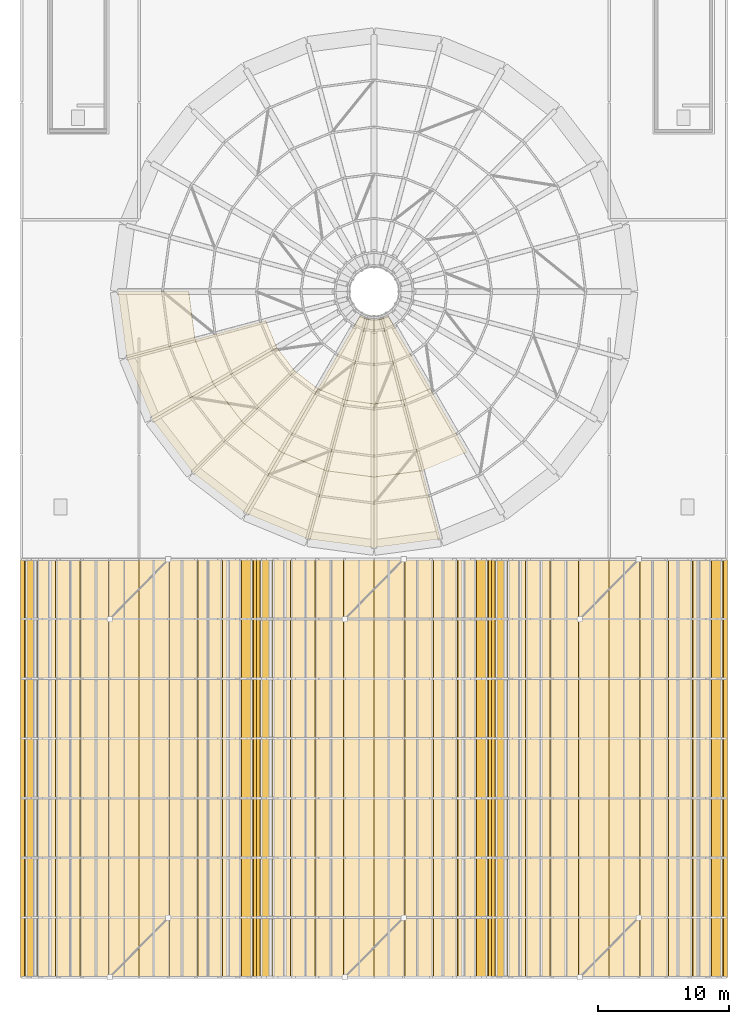
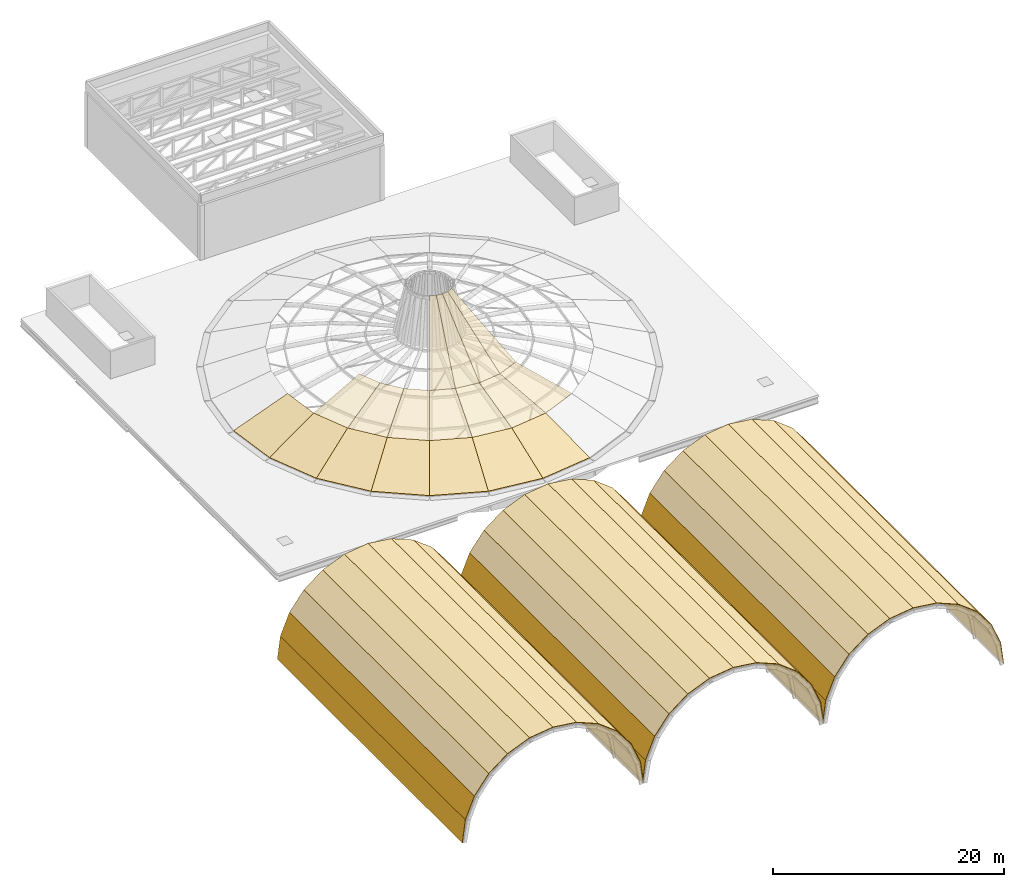
# One storey, part 23 of 25: 54 coverings, 4 elements without a shape of their own.
"""IFC4 building model written with IfcOpenShell, lengths in metres."""

from ifc_helpers import new_model, si_unit, direction, frame, origin, place, context, subcontext, project, spatial, polyline, outline, extrude, material, layer, layer_set, type_object, element, aggregate, save


model = new_model("IFC4")

# Units and contexts
model_context = context("Model", 3, precision=1e-05, world=origin(), true_north=direction((0.0, 1.0)))
body_context = subcontext(model_context, "Body", "Model", "MODEL_VIEW")
ifc_project = project(units=[si_unit("LENGTHUNIT", "METRE"), si_unit("AREAUNIT", "SQUARE_METRE"), si_unit("VOLUMEUNIT", "CUBIC_METRE"), si_unit("PLANEANGLEUNIT", "RADIAN"), si_unit("MASSUNIT", "GRAM", prefix="KILO")], contexts=[model_context])

# Site, building, storey
site_placement = place(None, origin())
site = spatial("IfcSite", under=ifc_project, at=site_placement, CompositionType="ELEMENT")
building_placement = place(site_placement, origin())
building = spatial("IfcBuilding", under=site, at=building_placement, Name="Marnock Terrace Opera House", CompositionType="ELEMENT")
storey_placement = place(building_placement, frame((0.0, 0.0, 28.199951171875)))
storey = spatial("IfcBuildingStorey", under=building, at=storey_placement, Name="RF", CompositionType="ELEMENT", Elevation=28.199951171875)

# Roof, coverings
roof_1_placement = place(storey_placement, origin())
roof_1 = element("IfcRoof", 1, at=roof_1_placement, inside=storey, Name="Grand Hall standing-seam green metal barrel vault 1", PredefinedType="BARREL_ROOF")
ifc_material = material(Name="Patinated green copper-zinc standing-seam roofing")
ifc_layer_1 = layer(ifc_material, 0.06494140625)
ifc_layer_set_1 = layer_set([ifc_layer_1], Name="Patinated green copper-zinc standing-seam roofing")
covering_type_1 = type_object("IfcCoveringType", Name="COV-BARREL-GREEN", PredefinedType="ROOFING", material=ifc_layer_set_1)
covering_1_placement = place(storey_placement, frame((54.93505859375, 8.0, -9.0), z_axis=(-0.991447271077, 0.0, 0.1305078874), x_axis=(0.1305078874, 0.0, 0.991447271077)))
covering_1 = element("IfcCovering", 2, at=covering_1_placement, type_object=covering_type_1, Name="Grand Hall patinated green standing-seam metal arch strip 1.1", PredefinedType="ROOFING", context=body_context, shape_type="SweptSolid", body=[
    extrude(outline(polyline([(0.0, 0.0), (2.366430847805837, 0.0), (2.366430847805837, 32.0), (0.0, 32.0), (0.0, 0.0)])), origin(), (0.0, 0.0, -1.0), 0.06494140625),
])
covering_2_placement = place(storey_placement, frame((55.243896484375, 8.0, -6.65380859375), z_axis=(-0.923889834918, 0.0, 0.382658559208), x_axis=(0.382658559208, 0.0, 0.923889834918)))
covering_2 = element("IfcCovering", 3, at=covering_2_placement, type_object=covering_type_1, Name="Grand Hall patinated green standing-seam metal arch strip 1.2", PredefinedType="ROOFING", context=body_context, shape_type="SweptSolid", body=[
    extrude(outline(polyline([(0.0, 0.0), (2.366385270457372, 0.0), (2.366385270457372, 31.999999999999996), (0.0, 31.999999999999996), (0.0, 0.0)])), origin(), (0.0, 0.0, -1.0), 0.06494140625),
])
covering_3_placement = place(storey_placement, frame((56.1494140625, 8.0, -4.467529296875), z_axis=(-0.793340611707, 0.0, 0.608778016864), x_axis=(0.608778016864, 0.0, 0.793340611707)))
covering_3 = element("IfcCovering", 4, at=covering_3_placement, type_object=covering_type_1, Name="Grand Hall patinated green standing-seam metal arch strip 1.3", PredefinedType="ROOFING", context=body_context, shape_type="SweptSolid", body=[
    extrude(outline(polyline([(0.0, 0.0), (2.3665010697116364, 0.0), (2.3665010697116364, 32.0), (0.0, 32.0), (0.0, 0.0)])), origin(), (0.0, 0.0, -1.0), 0.06494140625),
])
covering_4_placement = place(storey_placement, frame((57.590087890625, 8.0, -2.590087890625), z_axis=(-0.608778016864, 0.0, 0.793340611707), x_axis=(0.793340611707, 0.0, 0.608778016864)))
covering_4 = element("IfcCovering", 5, at=covering_4_placement, type_object=covering_type_1, Name="Grand Hall patinated green standing-seam metal arch strip 1.4", PredefinedType="ROOFING", context=body_context, shape_type="SweptSolid", body=[
    extrude(outline(polyline([(0.0, 0.0), (2.3665010697116364, 0.0), (2.3665010697116364, 32.0), (0.0, 32.0), (0.0, 0.0)])), origin(), (0.0, 0.0, -1.0), 0.06494140625),
])
covering_5_placement = place(storey_placement, frame((59.467529296875, 8.0, -1.1494140625), z_axis=(-0.382658559208, 0.0, 0.923889834918), x_axis=(0.923889834918, 0.0, 0.382658559208)))
covering_5 = element("IfcCovering", 6, at=covering_5_placement, type_object=covering_type_1, Name="Grand Hall patinated green standing-seam metal arch strip 1.5", PredefinedType="ROOFING", context=body_context, shape_type="SweptSolid", body=[
    extrude(outline(polyline([(0.0, 0.0), (2.366385270457372, 0.0), (2.366385270457372, 31.999999999999996), (0.0, 31.999999999999996), (0.0, 0.0)])), origin(), (0.0, 0.0, -1.0), 0.06494140625),
])
covering_6_placement = place(storey_placement, frame((61.65380859375, 8.0, -0.243896484375), z_axis=(-0.1305078874, 0.0, 0.991447271077), x_axis=(0.991447271077, 0.0, 0.1305078874)))
covering_6 = element("IfcCovering", 7, at=covering_6_placement, type_object=covering_type_1, Name="Grand Hall patinated green standing-seam metal arch strip 1.6", PredefinedType="ROOFING", context=body_context, shape_type="SweptSolid", body=[
    extrude(outline(polyline([(0.0, 0.0), (2.366430847805837, 0.0), (2.366430847805837, 32.0), (0.0, 32.0), (0.0, 0.0)])), origin(), (0.0, 0.0, -1.0), 0.06494140625),
])
covering_7_placement = place(storey_placement, frame((64.0, 8.0, 0.06494140625), z_axis=(0.1305078874, 0.0, 0.991447271077), x_axis=(0.991447271077, 0.0, -0.1305078874)))
covering_7 = element("IfcCovering", 8, at=covering_7_placement, type_object=covering_type_1, Name="Grand Hall patinated green standing-seam metal arch strip 1.7", PredefinedType="ROOFING", context=body_context, shape_type="SweptSolid", body=[
    extrude(outline(polyline([(0.0, 0.0), (2.366430847805837, 0.0), (2.366430847805837, 32.0), (0.0, 32.0), (0.0, 0.0)])), origin(), (0.0, 0.0, -1.0), 0.06494140625),
])
covering_8_placement = place(storey_placement, frame((66.34619140625, 8.0, -0.243896484375), z_axis=(0.382658559208, 0.0, 0.923889834918), x_axis=(0.923889834918, 0.0, -0.382658559208)))
covering_8 = element("IfcCovering", 9, at=covering_8_placement, type_object=covering_type_1, Name="Grand Hall patinated green standing-seam metal arch strip 1.8", PredefinedType="ROOFING", context=body_context, shape_type="SweptSolid", body=[
    extrude(outline(polyline([(0.0, 0.0), (2.366385270457372, 0.0), (2.366385270457372, 31.999999999999996), (0.0, 31.999999999999996), (0.0, 0.0)])), origin(), (0.0, 0.0, -1.0), 0.06494140625),
])
covering_9_placement = place(storey_placement, frame((68.532470703125, 8.0, -1.1494140625), z_axis=(0.608778016864, 0.0, 0.793340611707), x_axis=(0.793340611707, 0.0, -0.608778016864)))
covering_9 = element("IfcCovering", 10, at=covering_9_placement, type_object=covering_type_1, Name="Grand Hall patinated green standing-seam metal arch strip 1.9", PredefinedType="ROOFING", context=body_context, shape_type="SweptSolid", body=[
    extrude(outline(polyline([(0.0, 0.0), (2.3665010697116364, 0.0), (2.3665010697116364, 32.0), (0.0, 32.0), (0.0, 0.0)])), origin(), (0.0, 0.0, -1.0), 0.06494140625),
])
covering_10_placement = place(storey_placement, frame((70.409912109375, 8.0, -2.590087890625), z_axis=(0.793340611707, 0.0, 0.608778016864), x_axis=(0.608778016864, 0.0, -0.793340611707)))
covering_10 = element("IfcCovering", 11, at=covering_10_placement, type_object=covering_type_1, Name="Grand Hall patinated green standing-seam metal arch strip 1.10", PredefinedType="ROOFING", context=body_context, shape_type="SweptSolid", body=[
    extrude(outline(polyline([(0.0, 0.0), (2.3665010697116364, 0.0), (2.3665010697116364, 32.0), (0.0, 32.0), (0.0, 0.0)])), origin(), (0.0, 0.0, -1.0), 0.06494140625),
])
covering_11_placement = place(storey_placement, frame((71.8505859375, 8.0, -4.467529296875), z_axis=(0.923889834918, 0.0, 0.382658559208), x_axis=(0.382658559208, 0.0, -0.923889834918)))
covering_11 = element("IfcCovering", 12, at=covering_11_placement, type_object=covering_type_1, Name="Grand Hall patinated green standing-seam metal arch strip 1.11", PredefinedType="ROOFING", context=body_context, shape_type="SweptSolid", body=[
    extrude(outline(polyline([(0.0, 0.0), (2.366385270457372, 0.0), (2.366385270457372, 31.999999999999996), (0.0, 31.999999999999996), (0.0, 0.0)])), origin(), (0.0, 0.0, -1.0), 0.06494140625),
])
covering_12_placement = place(storey_placement, frame((72.756103515625, 8.0, -6.65380859375), z_axis=(0.991447271077, 0.0, 0.1305078874), x_axis=(0.1305078874, 0.0, -0.991447271077)))
covering_12 = element("IfcCovering", 13, at=covering_12_placement, type_object=covering_type_1, Name="Grand Hall patinated green standing-seam metal arch strip 1.12", PredefinedType="ROOFING", context=body_context, shape_type="SweptSolid", body=[
    extrude(outline(polyline([(0.0, 0.0), (2.366430847805837, 0.0), (2.366430847805837, 32.0), (0.0, 32.0), (0.0, 0.0)])), origin(), (0.0, 0.0, -1.0), 0.06494140625),
])
aggregate(roof_1, [covering_1, covering_2, covering_3, covering_4, covering_5, covering_6, covering_7, covering_8, covering_9, covering_10, covering_11, covering_12])

roof_2_placement = place(storey_placement, origin())
roof_2 = element("IfcRoof", 14, at=roof_2_placement, inside=storey, Name="Grand Hall standing-seam green metal barrel vault 2", PredefinedType="BARREL_ROOF")
covering_13_placement = place(storey_placement, frame((72.93505859375, 8.0, -9.0), z_axis=(-0.991447271077, 0.0, 0.1305078874), x_axis=(0.1305078874, 0.0, 0.991447271077)))
covering_13 = element("IfcCovering", 15, at=covering_13_placement, type_object=covering_type_1, Name="Grand Hall patinated green standing-seam metal arch strip 2.1", PredefinedType="ROOFING", context=body_context, shape_type="SweptSolid", body=[
    extrude(outline(polyline([(0.0, 0.0), (2.366430847805837, 0.0), (2.366430847805837, 32.0), (0.0, 32.0), (0.0, 0.0)])), origin(), (0.0, 0.0, -1.0), 0.06494140625),
])
covering_14_placement = place(storey_placement, frame((73.243896484375, 8.0, -6.65380859375), z_axis=(-0.923889834918, 0.0, 0.382658559208), x_axis=(0.382658559208, 0.0, 0.923889834918)))
covering_14 = element("IfcCovering", 16, at=covering_14_placement, type_object=covering_type_1, Name="Grand Hall patinated green standing-seam metal arch strip 2.2", PredefinedType="ROOFING", context=body_context, shape_type="SweptSolid", body=[
    extrude(outline(polyline([(0.0, 0.0), (2.366385270457372, 0.0), (2.366385270457372, 31.999999999999996), (0.0, 31.999999999999996), (0.0, 0.0)])), origin(), (0.0, 0.0, -1.0), 0.06494140625),
])
covering_15_placement = place(storey_placement, frame((74.1494140625, 8.0, -4.467529296875), z_axis=(-0.793340611707, 0.0, 0.608778016864), x_axis=(0.608778016864, 0.0, 0.793340611707)))
covering_15 = element("IfcCovering", 17, at=covering_15_placement, type_object=covering_type_1, Name="Grand Hall patinated green standing-seam metal arch strip 2.3", PredefinedType="ROOFING", context=body_context, shape_type="SweptSolid", body=[
    extrude(outline(polyline([(0.0, 0.0), (2.3665010697116364, 0.0), (2.3665010697116364, 32.0), (0.0, 32.0), (0.0, 0.0)])), origin(), (0.0, 0.0, -1.0), 0.06494140625),
])
covering_16_placement = place(storey_placement, frame((75.590087890625, 8.0, -2.590087890625), z_axis=(-0.608778016864, 0.0, 0.793340611707), x_axis=(0.793340611707, 0.0, 0.608778016864)))
covering_16 = element("IfcCovering", 18, at=covering_16_placement, type_object=covering_type_1, Name="Grand Hall patinated green standing-seam metal arch strip 2.4", PredefinedType="ROOFING", context=body_context, shape_type="SweptSolid", body=[
    extrude(outline(polyline([(0.0, 0.0), (2.3665010697116364, 0.0), (2.3665010697116364, 32.0), (0.0, 32.0), (0.0, 0.0)])), origin(), (0.0, 0.0, -1.0), 0.06494140625),
])
covering_17_placement = place(storey_placement, frame((77.467529296875, 8.0, -1.1494140625), z_axis=(-0.382658559208, 0.0, 0.923889834918), x_axis=(0.923889834918, 0.0, 0.382658559208)))
covering_17 = element("IfcCovering", 19, at=covering_17_placement, type_object=covering_type_1, Name="Grand Hall patinated green standing-seam metal arch strip 2.5", PredefinedType="ROOFING", context=body_context, shape_type="SweptSolid", body=[
    extrude(outline(polyline([(0.0, 0.0), (2.366385270457372, 0.0), (2.366385270457372, 31.999999999999996), (0.0, 31.999999999999996), (0.0, 0.0)])), origin(), (0.0, 0.0, -1.0), 0.06494140625),
])
covering_18_placement = place(storey_placement, frame((79.65380859375, 8.0, -0.243896484375), z_axis=(-0.1305078874, 0.0, 0.991447271077), x_axis=(0.991447271077, 0.0, 0.1305078874)))
covering_18 = element("IfcCovering", 20, at=covering_18_placement, type_object=covering_type_1, Name="Grand Hall patinated green standing-seam metal arch strip 2.6", PredefinedType="ROOFING", context=body_context, shape_type="SweptSolid", body=[
    extrude(outline(polyline([(0.0, 0.0), (2.366430847805837, 0.0), (2.366430847805837, 32.0), (0.0, 32.0), (0.0, 0.0)])), origin(), (0.0, 0.0, -1.0), 0.06494140625),
])
covering_19_placement = place(storey_placement, frame((82.0, 8.0, 0.06494140625), z_axis=(0.1305078874, 0.0, 0.991447271077), x_axis=(0.991447271077, 0.0, -0.1305078874)))
covering_19 = element("IfcCovering", 21, at=covering_19_placement, type_object=covering_type_1, Name="Grand Hall patinated green standing-seam metal arch strip 2.7", PredefinedType="ROOFING", context=body_context, shape_type="SweptSolid", body=[
    extrude(outline(polyline([(0.0, 0.0), (2.366430847805837, 0.0), (2.366430847805837, 32.0), (0.0, 32.0), (0.0, 0.0)])), origin(), (0.0, 0.0, -1.0), 0.06494140625),
])
covering_20_placement = place(storey_placement, frame((84.34619140625, 8.0, -0.243896484375), z_axis=(0.382658559208, 0.0, 0.923889834918), x_axis=(0.923889834918, 0.0, -0.382658559208)))
covering_20 = element("IfcCovering", 22, at=covering_20_placement, type_object=covering_type_1, Name="Grand Hall patinated green standing-seam metal arch strip 2.8", PredefinedType="ROOFING", context=body_context, shape_type="SweptSolid", body=[
    extrude(outline(polyline([(0.0, 0.0), (2.366385270457372, 0.0), (2.366385270457372, 31.999999999999996), (0.0, 31.999999999999996), (0.0, 0.0)])), origin(), (0.0, 0.0, -1.0), 0.06494140625),
])
covering_21_placement = place(storey_placement, frame((86.532470703125, 8.0, -1.1494140625), z_axis=(0.608778016864, 0.0, 0.793340611707), x_axis=(0.793340611707, 0.0, -0.608778016864)))
covering_21 = element("IfcCovering", 23, at=covering_21_placement, type_object=covering_type_1, Name="Grand Hall patinated green standing-seam metal arch strip 2.9", PredefinedType="ROOFING", context=body_context, shape_type="SweptSolid", body=[
    extrude(outline(polyline([(0.0, 0.0), (2.3665010697116364, 0.0), (2.3665010697116364, 32.0), (0.0, 32.0), (0.0, 0.0)])), origin(), (0.0, 0.0, -1.0), 0.06494140625),
])
covering_22_placement = place(storey_placement, frame((88.409912109375, 8.0, -2.590087890625), z_axis=(0.793340611707, 0.0, 0.608778016864), x_axis=(0.608778016864, 0.0, -0.793340611707)))
covering_22 = element("IfcCovering", 24, at=covering_22_placement, type_object=covering_type_1, Name="Grand Hall patinated green standing-seam metal arch strip 2.10", PredefinedType="ROOFING", context=body_context, shape_type="SweptSolid", body=[
    extrude(outline(polyline([(0.0, 0.0), (2.3665010697116364, 0.0), (2.3665010697116364, 32.0), (0.0, 32.0), (0.0, 0.0)])), origin(), (0.0, 0.0, -1.0), 0.06494140625),
])
covering_23_placement = place(storey_placement, frame((89.8505859375, 8.0, -4.467529296875), z_axis=(0.923889834918, 0.0, 0.382658559208), x_axis=(0.382658559208, 0.0, -0.923889834918)))
covering_23 = element("IfcCovering", 25, at=covering_23_placement, type_object=covering_type_1, Name="Grand Hall patinated green standing-seam metal arch strip 2.11", PredefinedType="ROOFING", context=body_context, shape_type="SweptSolid", body=[
    extrude(outline(polyline([(0.0, 0.0), (2.366385270457372, 0.0), (2.366385270457372, 31.999999999999996), (0.0, 31.999999999999996), (0.0, 0.0)])), origin(), (0.0, 0.0, -1.0), 0.06494140625),
])
covering_24_placement = place(storey_placement, frame((90.756103515625, 8.0, -6.65380859375), z_axis=(0.991447271077, 0.0, 0.1305078874), x_axis=(0.1305078874, 0.0, -0.991447271077)))
covering_24 = element("IfcCovering", 26, at=covering_24_placement, type_object=covering_type_1, Name="Grand Hall patinated green standing-seam metal arch strip 2.12", PredefinedType="ROOFING", context=body_context, shape_type="SweptSolid", body=[
    extrude(outline(polyline([(0.0, 0.0), (2.366430847805837, 0.0), (2.366430847805837, 32.0), (0.0, 32.0), (0.0, 0.0)])), origin(), (0.0, 0.0, -1.0), 0.06494140625),
])
aggregate(roof_2, [covering_13, covering_14, covering_15, covering_16, covering_17, covering_18, covering_19, covering_20, covering_21, covering_22, covering_23, covering_24])

roof_3_placement = place(storey_placement, origin())
roof_3 = element("IfcRoof", 27, at=roof_3_placement, inside=storey, Name="Grand Hall standing-seam green metal barrel vault 3", PredefinedType="BARREL_ROOF")
covering_25_placement = place(storey_placement, frame((90.93505859375, 8.0, -9.0), z_axis=(-0.991447271077, 0.0, 0.1305078874), x_axis=(0.1305078874, 0.0, 0.991447271077)))
covering_25 = element("IfcCovering", 28, at=covering_25_placement, type_object=covering_type_1, Name="Grand Hall patinated green standing-seam metal arch strip 3.1", PredefinedType="ROOFING", context=body_context, shape_type="SweptSolid", body=[
    extrude(outline(polyline([(0.0, 0.0), (2.366430847805837, 0.0), (2.366430847805837, 32.0), (0.0, 32.0), (0.0, 0.0)])), origin(), (0.0, 0.0, -1.0), 0.06494140625),
])
covering_26_placement = place(storey_placement, frame((91.243896484375, 8.0, -6.65380859375), z_axis=(-0.923889834918, 0.0, 0.382658559208), x_axis=(0.382658559208, 0.0, 0.923889834918)))
covering_26 = element("IfcCovering", 29, at=covering_26_placement, type_object=covering_type_1, Name="Grand Hall patinated green standing-seam metal arch strip 3.2", PredefinedType="ROOFING", context=body_context, shape_type="SweptSolid", body=[
    extrude(outline(polyline([(0.0, 0.0), (2.366385270457372, 0.0), (2.366385270457372, 31.999999999999996), (0.0, 31.999999999999996), (0.0, 0.0)])), origin(), (0.0, 0.0, -1.0), 0.06494140625),
])
covering_27_placement = place(storey_placement, frame((92.1494140625, 8.0, -4.467529296875), z_axis=(-0.793340611707, 0.0, 0.608778016864), x_axis=(0.608778016864, 0.0, 0.793340611707)))
covering_27 = element("IfcCovering", 30, at=covering_27_placement, type_object=covering_type_1, Name="Grand Hall patinated green standing-seam metal arch strip 3.3", PredefinedType="ROOFING", context=body_context, shape_type="SweptSolid", body=[
    extrude(outline(polyline([(0.0, 0.0), (2.3665010697116364, 0.0), (2.3665010697116364, 32.0), (0.0, 32.0), (0.0, 0.0)])), origin(), (0.0, 0.0, -1.0), 0.06494140625),
])
covering_28_placement = place(storey_placement, frame((93.590087890625, 8.0, -2.590087890625), z_axis=(-0.608778016864, 0.0, 0.793340611707), x_axis=(0.793340611707, 0.0, 0.608778016864)))
covering_28 = element("IfcCovering", 31, at=covering_28_placement, type_object=covering_type_1, Name="Grand Hall patinated green standing-seam metal arch strip 3.4", PredefinedType="ROOFING", context=body_context, shape_type="SweptSolid", body=[
    extrude(outline(polyline([(0.0, 0.0), (2.3665010697116364, 0.0), (2.3665010697116364, 32.0), (0.0, 32.0), (0.0, 0.0)])), origin(), (0.0, 0.0, -1.0), 0.06494140625),
])
covering_29_placement = place(storey_placement, frame((95.467529296875, 8.0, -1.1494140625), z_axis=(-0.382658559208, 0.0, 0.923889834918), x_axis=(0.923889834918, 0.0, 0.382658559208)))
covering_29 = element("IfcCovering", 32, at=covering_29_placement, type_object=covering_type_1, Name="Grand Hall patinated green standing-seam metal arch strip 3.5", PredefinedType="ROOFING", context=body_context, shape_type="SweptSolid", body=[
    extrude(outline(polyline([(0.0, 0.0), (2.366385270457372, 0.0), (2.366385270457372, 31.999999999999996), (0.0, 31.999999999999996), (0.0, 0.0)])), origin(), (0.0, 0.0, -1.0), 0.06494140625),
])
covering_30_placement = place(storey_placement, frame((97.65380859375, 8.0, -0.243896484375), z_axis=(-0.1305078874, 0.0, 0.991447271077), x_axis=(0.991447271077, 0.0, 0.1305078874)))
covering_30 = element("IfcCovering", 33, at=covering_30_placement, type_object=covering_type_1, Name="Grand Hall patinated green standing-seam metal arch strip 3.6", PredefinedType="ROOFING", context=body_context, shape_type="SweptSolid", body=[
    extrude(outline(polyline([(0.0, 0.0), (2.366430847805837, 0.0), (2.366430847805837, 32.0), (0.0, 32.0), (0.0, 0.0)])), origin(), (0.0, 0.0, -1.0), 0.06494140625),
])
covering_31_placement = place(storey_placement, frame((100.0, 8.0, 0.06494140625), z_axis=(0.1305078874, 0.0, 0.991447271077), x_axis=(0.991447271077, 0.0, -0.1305078874)))
covering_31 = element("IfcCovering", 34, at=covering_31_placement, type_object=covering_type_1, Name="Grand Hall patinated green standing-seam metal arch strip 3.7", PredefinedType="ROOFING", context=body_context, shape_type="SweptSolid", body=[
    extrude(outline(polyline([(0.0, 0.0), (2.366430847805837, 0.0), (2.366430847805837, 32.0), (0.0, 32.0), (0.0, 0.0)])), origin(), (0.0, 0.0, -1.0), 0.06494140625),
])
covering_32_placement = place(storey_placement, frame((102.34619140625, 8.0, -0.243896484375), z_axis=(0.382658559208, 0.0, 0.923889834918), x_axis=(0.923889834918, 0.0, -0.382658559208)))
covering_32 = element("IfcCovering", 35, at=covering_32_placement, type_object=covering_type_1, Name="Grand Hall patinated green standing-seam metal arch strip 3.8", PredefinedType="ROOFING", context=body_context, shape_type="SweptSolid", body=[
    extrude(outline(polyline([(0.0, 0.0), (2.366385270457372, 0.0), (2.366385270457372, 31.999999999999996), (0.0, 31.999999999999996), (0.0, 0.0)])), origin(), (0.0, 0.0, -1.0), 0.06494140625),
])
covering_33_placement = place(storey_placement, frame((104.532470703125, 8.0, -1.1494140625), z_axis=(0.608778016864, 0.0, 0.793340611707), x_axis=(0.793340611707, 0.0, -0.608778016864)))
covering_33 = element("IfcCovering", 36, at=covering_33_placement, type_object=covering_type_1, Name="Grand Hall patinated green standing-seam metal arch strip 3.9", PredefinedType="ROOFING", context=body_context, shape_type="SweptSolid", body=[
    extrude(outline(polyline([(0.0, 0.0), (2.3665010697116364, 0.0), (2.3665010697116364, 32.0), (0.0, 32.0), (0.0, 0.0)])), origin(), (0.0, 0.0, -1.0), 0.06494140625),
])
covering_34_placement = place(storey_placement, frame((106.409912109375, 8.0, -2.590087890625), z_axis=(0.793340611707, 0.0, 0.608778016864), x_axis=(0.608778016864, 0.0, -0.793340611707)))
covering_34 = element("IfcCovering", 37, at=covering_34_placement, type_object=covering_type_1, Name="Grand Hall patinated green standing-seam metal arch strip 3.10", PredefinedType="ROOFING", context=body_context, shape_type="SweptSolid", body=[
    extrude(outline(polyline([(0.0, 0.0), (2.3665010697116364, 0.0), (2.3665010697116364, 32.0), (0.0, 32.0), (0.0, 0.0)])), origin(), (0.0, 0.0, -1.0), 0.06494140625),
])
covering_35_placement = place(storey_placement, frame((107.8505859375, 8.0, -4.467529296875), z_axis=(0.923889834918, 0.0, 0.382658559208), x_axis=(0.382658559208, 0.0, -0.923889834918)))
covering_35 = element("IfcCovering", 38, at=covering_35_placement, type_object=covering_type_1, Name="Grand Hall patinated green standing-seam metal arch strip 3.11", PredefinedType="ROOFING", context=body_context, shape_type="SweptSolid", body=[
    extrude(outline(polyline([(0.0, 0.0), (2.366385270457372, 0.0), (2.366385270457372, 31.999999999999996), (0.0, 31.999999999999996), (0.0, 0.0)])), origin(), (0.0, 0.0, -1.0), 0.06494140625),
])
covering_36_placement = place(storey_placement, frame((108.756103515625, 8.0, -6.65380859375), z_axis=(0.991447271077, 0.0, 0.1305078874), x_axis=(0.1305078874, 0.0, -0.991447271077)))
covering_36 = element("IfcCovering", 39, at=covering_36_placement, type_object=covering_type_1, Name="Grand Hall patinated green standing-seam metal arch strip 3.12", PredefinedType="ROOFING", context=body_context, shape_type="SweptSolid", body=[
    extrude(outline(polyline([(0.0, 0.0), (2.366430847805837, 0.0), (2.366430847805837, 32.0), (0.0, 32.0), (0.0, 0.0)])), origin(), (0.0, 0.0, -1.0), 0.06494140625),
])
aggregate(roof_3, [covering_25, covering_26, covering_27, covering_28, covering_29, covering_30, covering_31, covering_32, covering_33, covering_34, covering_35, covering_36])

roof_4_placement = place(storey_placement, origin())
roof_4 = element("IfcRoof", 40, at=roof_4_placement, inside=storey, Name="Main Auditorium steel-ribbed spherical dome", PredefinedType="DOME_ROOF")
ifc_layer_2 = layer(ifc_material, 0.074951171875)
ifc_layer_set_2 = layer_set([ifc_layer_2], Name="Patinated green copper-zinc standing-seam roofing")
covering_type_2 = type_object("IfcCoveringType", Name="COV-DOME-GREEN", PredefinedType="ROOFING", material=ifc_layer_set_2)
covering_37_placement = place(storey_placement, frame((62.39990234375, 60.5, 0.10009765625), z_axis=(-0.352317131294, -0.046389602184, 0.934730251894), x_axis=(0.130549838233, -0.991441748027, 2.520747e-06)))
covering_37 = element("IfcCovering", 41, at=covering_37_placement, type_object=covering_type_2, Name="Dome green standing-seam gore 13.1", PredefinedType="ROOFING", context=body_context, shape_type="SweptSolid", body=[
    extrude(outline(polyline([(0.0, 0.0), (5.116543212380876, -1.1102230246251565e-16), (4.412003599005117, 5.727713691704827), (0.7049933807000869, 5.727776281930253), (0.0, 0.0)])), origin(), (0.0, 0.0, -1.0), 0.074951171875),
])
covering_38_placement = place(storey_placement, frame((63.06787109375, 55.42724609375, 0.10009765625), z_axis=(-0.32831772337, -0.135983771502, 0.934727707094), x_axis=(0.3826655891, -0.923886923229, 2.425053e-06)))
covering_38 = element("IfcCovering", 42, at=covering_38_placement, type_object=covering_type_2, Name="Dome green standing-seam gore 14.1", PredefinedType="ROOFING", context=body_context, shape_type="SweptSolid", body=[
    extrude(outline(polyline([(0.0, 0.0), (5.116748173598148, 2.220446049250313e-16), (4.411844387682832, 5.727606992132528), (0.70491742681314, 5.727667205970325), (0.0, 0.0)])), origin(), (0.0, 0.0, -1.0), 0.074951171875),
])
covering_39_placement = place(storey_placement, frame((68.283935546875, 56.82470703125, 2.135498046875), z_axis=(-0.221610143309, -0.091786584396, 0.970805936997), x_axis=(0.382650783688, -0.923893055359, -1.743796e-06)))
covering_39 = element("IfcCovering", 43, at=covering_39_placement, type_object=covering_type_2, Name="Dome green standing-seam gore 14.2", PredefinedType="ROOFING", context=body_context, shape_type="SweptSolid", body=[
    extrude(outline(polyline([(0.0, 0.0), (3.7069269613765257, -2.220446049250313e-16), (2.9757791507463995, 5.719150504026977), (0.7306757556963367, 5.719107233545815), (0.0, 0.0)])), origin(), (0.0, 0.0, -1.0), 0.074951171875),
])
covering_40_placement = place(storey_placement, frame((65.02587890625, 50.699951171875, 0.10009765625), z_axis=(-0.281933207248, -0.216329386275, 0.934727373775), x_axis=(0.60875110808, -0.793361259712, -2.16203e-07)))
covering_40 = element("IfcCovering", 44, at=covering_40_placement, type_object=covering_type_2, Name="Dome green standing-seam gore 15.1", PredefinedType="ROOFING", context=body_context, shape_type="SweptSolid", body=[
    extrude(outline(polyline([(0.0, 0.0), (5.116617261257561, 0.0), (4.41170891799427, 5.727625652140126), (0.7047957767661198, 5.72762028393561), (0.0, 0.0)])), origin(), (0.0, 0.0, -1.0), 0.074951171875),
])
covering_41_placement = place(storey_placement, frame((69.702392578125, 53.39990234375, 2.135498046875), z_axis=(-0.1902948667, -0.146019653415, 0.970806945033), x_axis=(0.608752990058, -0.793359815646, -3.663156e-06)))
covering_41 = element("IfcCovering", 45, at=covering_41_placement, type_object=covering_type_2, Name="Dome green standing-seam gore 15.2", PredefinedType="ROOFING", context=body_context, shape_type="SweptSolid", body=[
    extrude(outline(polyline([(0.0, 0.0), (3.7069131412058365, 4.440892098500626e-16), (2.9758722978650205, 5.719271595584956), (0.7309115816826378, 5.7191806990435365), (0.0, 0.0)])), origin(), (0.0, 0.0, -1.0), 0.074951171875),
])
covering_42_placement = place(storey_placement, frame((68.140625, 46.640625, 0.10009765625), z_axis=(-0.216329386275, -0.281933207248, 0.934727373775), x_axis=(0.793361259712, -0.60875110808, 2.16203e-07)))
covering_42 = element("IfcCovering", 46, at=covering_42_placement, type_object=covering_type_2, Name="Dome green standing-seam gore 16.1", PredefinedType="ROOFING", context=body_context, shape_type="SweptSolid", body=[
    extrude(outline(polyline([(0.0, 0.0), (5.116617261257561, 0.0), (4.4118214844914405, 5.72762028393561), (0.7049083432632915, 5.727625652140126), (0.0, 0.0)])), origin(), (0.0, 0.0, -1.0), 0.074951171875),
])
covering_43_placement = place(storey_placement, frame((71.958984375, 50.458984375, 2.135498046875), z_axis=(-0.146019653415, -0.1902948667, 0.970806945033), x_axis=(0.793359815646, -0.608752990058, 3.663156e-06)))
covering_43 = element("IfcCovering", 47, at=covering_43_placement, type_object=covering_type_2, Name="Dome green standing-seam gore 16.2", PredefinedType="ROOFING", context=body_context, shape_type="SweptSolid", body=[
    extrude(outline(polyline([(0.0, 0.0), (3.7069131412058365, -4.440892098500626e-16), (2.976001559523198, 5.719180699043536), (0.7310408433408161, 5.719271595584955), (0.0, 0.0)])), origin(), (0.0, 0.0, -1.0), 0.074951171875),
])
covering_44_placement = place(storey_placement, frame((72.199951171875, 43.52587890625, 0.10009765625), z_axis=(-0.135983771502, -0.32831772337, 0.934727707094), x_axis=(0.923886923229, -0.3826655891, -2.425053e-06)))
covering_44 = element("IfcCovering", 48, at=covering_44_placement, type_object=covering_type_2, Name="Dome green standing-seam gore 17.1", PredefinedType="ROOFING", context=body_context, shape_type="SweptSolid", body=[
    extrude(outline(polyline([(0.0, 0.0), (5.116748173598148, -2.220446049250313e-16), (4.411830746785007, 5.727667205970325), (0.7049037859153156, 5.727606992132527), (0.0, 0.0)])), origin(), (0.0, 0.0, -1.0), 0.074951171875),
])
covering_45_placement = place(storey_placement, frame((74.89990234375, 48.202392578125, 2.135498046875), z_axis=(-0.091786584396, -0.221610143309, 0.970805936997), x_axis=(0.923893055359, -0.382650783688, 1.743796e-06)))
covering_45 = element("IfcCovering", 49, at=covering_45_placement, type_object=covering_type_2, Name="Dome green standing-seam gore 17.2", PredefinedType="ROOFING", context=body_context, shape_type="SweptSolid", body=[
    extrude(outline(polyline([(0.0, 0.0), (3.7069269613765257, 2.220446049250313e-16), (2.976251205680189, 5.719107233545815), (0.731147810630126, 5.719150504026977), (0.0, 0.0)])), origin(), (0.0, 0.0, -1.0), 0.074951171875),
])
covering_46_placement = place(storey_placement, frame((77.699951171875, 53.05224609375, 3.50732421875), z_axis=(-0.251468837389, -0.607189973962, 0.753713313762), x_axis=(0.923891701887, -0.382654051138, -1.8218067e-05)))
covering_46 = element("IfcCovering", 50, at=covering_46_placement, type_object=covering_type_2, Name="Dome green standing-seam gore 17.3", PredefinedType="ROOFING", context=body_context, shape_type="SweptSolid", body=[
    extrude(outline(polyline([(0.0, 0.0), (2.2451033948210775, 1.1102230246251565e-16), (1.409900540966015, 8.418612820744906), (0.835454934050321, 8.418534661170975), (0.0, 0.0)])), origin(), (0.0, 0.0, -1.0), 0.074951171875),
])
covering_47_placement = place(storey_placement, frame((76.92724609375, 41.56787109375, 0.10009765625), z_axis=(-0.046389602184, -0.352317131294, 0.934730251894), x_axis=(0.991441748027, -0.130549838233, -2.520747e-06)))
covering_47 = element("IfcCovering", 51, at=covering_47_placement, type_object=covering_type_2, Name="Dome green standing-seam gore 18.1", PredefinedType="ROOFING", context=body_context, shape_type="SweptSolid", body=[
    extrude(outline(polyline([(0.0, 0.0), (5.116543212380876, 1.1102230246251565e-16), (4.411549831680788, 5.727776281930254), (0.7045396133757587, 5.727713691704827), (0.0, 0.0)])), origin(), (0.0, 0.0, -1.0), 0.074951171875),
])
covering_48_placement = place(storey_placement, frame((78.32470703125, 46.783935546875, 2.135498046875), z_axis=(-0.031317595841, -0.237818915823, 0.970804497037), x_axis=(0.991443778832, -0.130534414528, 6.265549e-06)))
covering_48 = element("IfcCovering", 52, at=covering_48_placement, type_object=covering_type_2, Name="Dome green standing-seam gore 18.2", PredefinedType="ROOFING", context=body_context, shape_type="SweptSolid", body=[
    extrude(outline(polyline([(0.0, 0.0), (3.707010218781899, 0.0), (2.9760452139229656, 5.718912187068278), (0.7309854572191057, 5.719067657369038), (0.0, 0.0)])), origin(), (0.0, 0.0, -1.0), 0.074951171875),
])
covering_49_placement = place(storey_placement, frame((79.774169921875, 52.193115234375, 3.50732421875), z_axis=(-0.085821139871, -0.651569118289, 0.753719056442), x_axis=(0.991435630167, -0.130596290777, -8.456923e-06)))
covering_49 = element("IfcCovering", 53, at=covering_49_placement, type_object=covering_type_2, Name="Dome green standing-seam gore 18.3", PredefinedType="ROOFING", context=body_context, shape_type="SweptSolid", body=[
    extrude(outline(polyline([(0.0, 0.0), (2.2450597620731765, 5.551115123125783e-17), (1.4091775810395855, 8.418676234569498), (0.8349293020315377, 8.418639955219465), (0.0, 0.0)])), origin(), (0.0, 0.0, -1.0), 0.074951171875),
])
covering_50_placement = place(storey_placement, frame((82.0, 40.89990234375, 0.10009765625), z_axis=(0.046389602184, -0.352317131294, 0.934730251894), x_axis=(0.991441748027, 0.130549838233, 2.520747e-06)))
covering_50 = element("IfcCovering", 54, at=covering_50_placement, type_object=covering_type_2, Name="Dome green standing-seam gore 19.1", PredefinedType="ROOFING", context=body_context, shape_type="SweptSolid", body=[
    extrude(outline(polyline([(0.0, 0.0), (5.116543212380876, -1.1102230246251565e-16), (4.412003599005117, 5.727713691704827), (0.7049933807000869, 5.727776281930253), (0.0, 0.0)])), origin(), (0.0, 0.0, -1.0), 0.074951171875),
])
covering_51_placement = place(storey_placement, frame((82.0, 46.300048828125, 2.135498046875), z_axis=(0.031317595841, -0.237818915823, 0.970804497037), x_axis=(0.991443778832, 0.130534414528, -6.265549e-06)))
covering_51 = element("IfcCovering", 55, at=covering_51_placement, type_object=covering_type_2, Name="Dome green standing-seam gore 19.2", PredefinedType="ROOFING", context=body_context, shape_type="SweptSolid", body=[
    extrude(outline(polyline([(0.0, 0.0), (3.707010218781899, 0.0), (2.9760247615627935, 5.719067657369038), (0.730965004858934, 5.718912187068278), (0.0, 0.0)])), origin(), (0.0, 0.0, -1.0), 0.074951171875),
])
covering_52_placement = place(storey_placement, frame((82.0, 51.89990234375, 3.50732421875), z_axis=(0.085821139871, -0.651569118289, 0.753719056442), x_axis=(0.991435630167, 0.130596290777, 8.456923e-06)))
covering_52 = element("IfcCovering", 56, at=covering_52_placement, type_object=covering_type_2, Name="Dome green standing-seam gore 19.3", PredefinedType="ROOFING", context=body_context, shape_type="SweptSolid", body=[
    extrude(outline(polyline([(0.0, 0.0), (2.2450597620731765, -5.551115123125783e-17), (1.410130460041639, 8.418639955219465), (0.8358821810335909, 8.418676234569498), (0.0, 0.0)])), origin(), (0.0, 0.0, -1.0), 0.074951171875),
])
covering_53_placement = place(storey_placement, frame((85.67529296875, 46.783935546875, 2.135498046875), z_axis=(0.091786584396, -0.221610143309, 0.970805936997), x_axis=(0.923893055359, 0.382650783688, -1.743796e-06)))
covering_53 = element("IfcCovering", 57, at=covering_53_placement, type_object=covering_type_2, Name="Dome green standing-seam gore 20.2", PredefinedType="ROOFING", context=body_context, shape_type="SweptSolid", body=[
    extrude(outline(polyline([(0.0, 0.0), (3.7069269613765257, -2.220446049250313e-16), (2.9757791507463995, 5.719150504026977), (0.7306757556963367, 5.719107233545815), (0.0, 0.0)])), origin(), (0.0, 0.0, -1.0), 0.074951171875),
])
covering_54_placement = place(storey_placement, frame((84.225830078125, 52.193115234375, 3.50732421875), z_axis=(0.251468837389, -0.607189973962, 0.753713313762), x_axis=(0.923891701887, 0.382654051138, 1.8218067e-05)))
covering_54 = element("IfcCovering", 58, at=covering_54_placement, type_object=covering_type_2, Name="Dome green standing-seam gore 20.3", PredefinedType="ROOFING", context=body_context, shape_type="SweptSolid", body=[
    extrude(outline(polyline([(0.0, 0.0), (2.2451033948210775, -1.1102230246251565e-16), (1.4096484607707565, 8.418534661170975), (0.8352028538550624, 8.418612820744906), (0.0, 0.0)])), origin(), (0.0, 0.0, -1.0), 0.074951171875),
])
aggregate(roof_4, [covering_37, covering_38, covering_39, covering_40, covering_41, covering_42, covering_43, covering_44, covering_45, covering_46, covering_47, covering_48, covering_49, covering_50, covering_51, covering_52, covering_53, covering_54])

save(model, "model.ifc")
